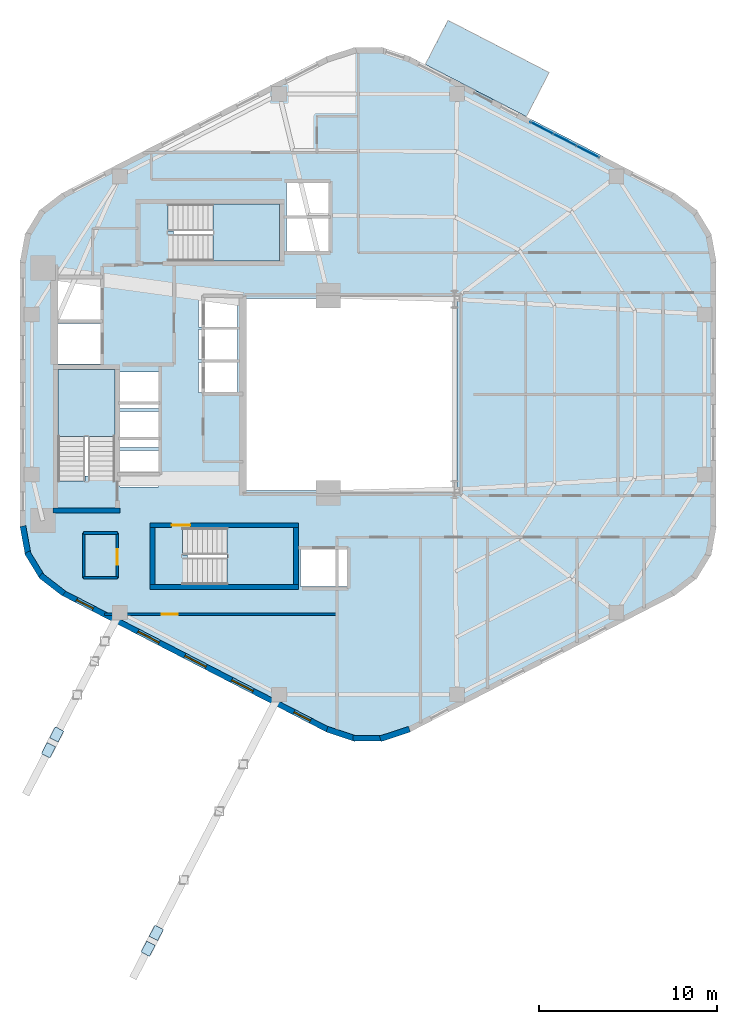
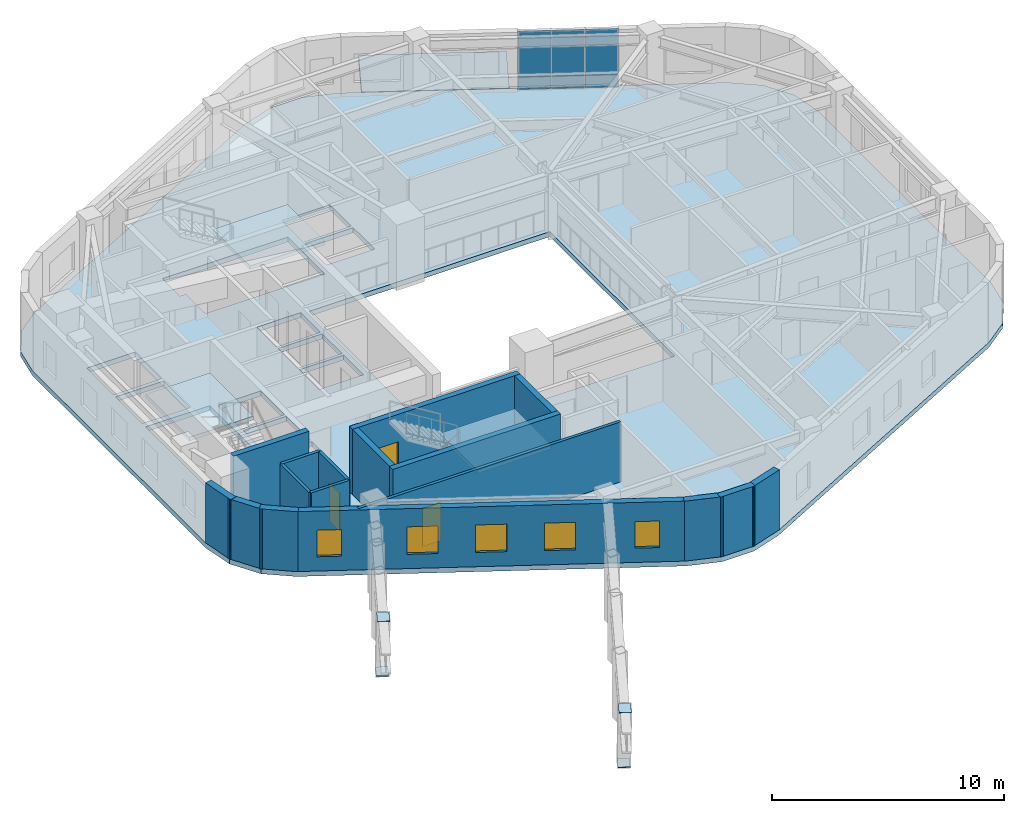
# One storey, part 5 of 11: 17 walls, 10 plates, 5 slabs, 5 windows, 3 doors, 8 openings, 4 elements without a shape of their own.
"""IFC4 building model written with IfcOpenShell, lengths in metres."""

from ifc_helpers import new_model, si_unit, direction, frame, frame_2d, origin, origin_2d, place, context, subcontext, project, spatial, polyline, rectangle, outline, extrude, material, layer, layer_set, type_object, element, fill, aggregate, save


model = new_model("IFC4")

# Units and contexts
model_context = context("Model", 3, precision=1e-05, world=origin(), true_north=direction((0.0, 1.0)))
body_context = subcontext(model_context, "Body", "Model", "MODEL_VIEW")
ifc_project = project(units=[si_unit("LENGTHUNIT", "METRE"), si_unit("AREAUNIT", "SQUARE_METRE"), si_unit("VOLUMEUNIT", "CUBIC_METRE"), si_unit("PLANEANGLEUNIT", "RADIAN"), si_unit("MASSUNIT", "GRAM", prefix="KILO"), si_unit("THERMODYNAMICTEMPERATUREUNIT", "KELVIN"), si_unit("POWERUNIT", "WATT")], contexts=[model_context])

# Site, building, storey
site_placement = place(None, origin())
site = spatial("IfcSite", under=ifc_project, at=site_placement, CompositionType="ELEMENT")
building_placement = place(site_placement, origin())
building = spatial("IfcBuilding", under=site, at=building_placement, Name="Skarre Station Tower", CompositionType="ELEMENT")
storey_placement = place(building_placement, frame((0.0, 0.0, 170.550048828125)))
storey = spatial("IfcBuildingStorey", under=building, at=storey_placement, Name="L46", CompositionType="ELEMENT", Elevation=170.550048828125)

# Curtain wall, plates
ifc_material_1 = material(Name="Thermally Broken Bronze-Anodized Aluminium & Triple Low-E Glass", Category="aluminium")
ifc_layer_1 = layer(ifc_material_1, 0.18994140625, Name="Thermally Broken Bronze-Anodized Aluminium & Triple Low-E Glass")
ifc_layer_set_1 = layer_set([ifc_layer_1], Name="Thermally Broken Bronze-Anodized Aluminium & Triple Low-E Glass")
curtain_wall_type = type_object("IfcCurtainWallType", Name="Sky-Garden Setback Conservatory Curtain Wall", PredefinedType="NOTDEFINED", material=ifc_layer_set_1)
curtain_wall_placement = place(storey_placement, origin())
curtain_wall = element("IfcCurtainWall", 1, at=curtain_wall_placement, inside=storey, type_object=curtain_wall_type, Name="L46 Facet 0 Conservatory Curtain Wall", PredefinedType="NOTDEFINED")
ifc_material_2 = material(Name="Insulated Bronze Anodized Aluminium Spandrel", Category="aluminium")
ifc_layer_2 = layer(ifc_material_2, 0.052001953125, Name="Insulated Bronze Anodized Aluminium Spandrel")
ifc_layer_set_2 = layer_set([ifc_layer_2], Name="Insulated Bronze Anodized Aluminium Spandrel")
plate_type_1 = type_object("IfcPlateType", Name="Bronze Insulated Spandrel Sheet Panel 52", PredefinedType="SHEET", material=ifc_layer_set_2)
plate_1_placement = place(storey_placement, frame((44.364990234375, 38.986083984375, 0.0517578125), z_axis=(0.0, 0.0, 1.0), x_axis=(0.888593216602, -0.458696081745, 0.0)))
plate_1 = element("IfcPlate", 2, at=plate_1_placement, type_object=plate_type_1, Name="L46 Facet 0 Conservatory Curtain Wall Spandrel Panel 1-1", PredefinedType="SHEET", context=body_context, shape_type="SweptSolid", body=[
    extrude(rectangle(XDim=1.43408203125, YDim=0.052001953125, at=origin_2d()), origin(), (0.0, 0.0, 1.0), 0.635986328125),
])
plate_2_placement = place(storey_placement, frame((45.660888671875, 38.31689453125, 0.0517578125), z_axis=(0.0, 0.0, 1.0), x_axis=(0.888593216602, -0.458696081745, 0.0)))
plate_2 = element("IfcPlate", 3, at=plate_2_placement, type_object=plate_type_1, Name="L46 Facet 0 Conservatory Curtain Wall Spandrel Panel 2-1", PredefinedType="SHEET", context=body_context, shape_type="SweptSolid", body=[
    extrude(rectangle(XDim=1.43408203125, YDim=0.052001953125, at=origin_2d()), origin(), (0.0, 0.0, 1.0), 0.635986328125),
])
plate_3_placement = place(storey_placement, frame((46.95703125, 37.64794921875, 0.0517578125), z_axis=(0.0, 0.0, 1.0), x_axis=(0.888593216602, -0.458696081745, 0.0)))
plate_3 = element("IfcPlate", 4, at=plate_3_placement, type_object=plate_type_1, Name="L46 Facet 0 Conservatory Curtain Wall Spandrel Panel 3-1", PredefinedType="SHEET", context=body_context, shape_type="SweptSolid", body=[
    extrude(rectangle(XDim=1.43408203125, YDim=0.052001953125, at=origin_2d()), origin(), (0.0, 0.0, 1.0), 0.635986328125),
])

# Plates
ifc_material_3 = material(Name="Steel ASTM A572 Grade 50", Category="steel")
ifc_layer_3 = layer(ifc_material_3, 0.031982421875, Name="Steel ASTM A572 Grade 50")
ifc_layer_set_3 = layer_set([ifc_layer_3], Name="Steel ASTM A572 Grade 50")
plate_type_2 = type_object("IfcPlateType", Name="Exoskeleton Strut Cap Plate 700x540x32", PredefinedType="USERDEFINED", material=ifc_layer_set_3)
for number, where, z_axis, x_axis, name in (
    (5, (17.0810546875, 4.8740234375, -0.44580078125), (0.0, 0.0, 1.0), (-0.458634045118, -0.888625237464, 0.0), "L46 SB-4 Exoskeleton Tier-4 Base Gusset S1"),
    (6, (16.6220703125, 3.985107421875, 3.1337890625), (0.0, 0.0, 1.0), (-0.458634045118, -0.888625237464, 0.0), "L46 SB-4 Exoskeleton Tier-4 Head Gusset S1"),
    (7, (22.681884765625, -6.2890625, -0.44580078125), (0.0, 0.0, 1.0), (-0.458634045118, -0.888625237464, 0.0), "L46 SB-4 Exoskeleton Tier-4 Base Gusset S2"),
    (8, (22.222900390625, -7.177001953125, 3.1337890625), (0.0, 0.0, 1.0), (-0.458634045118, -0.888625237464, 0.0), "L46 SB-4 Exoskeleton Tier-4 Head Gusset S2"),
):
    element("IfcPlate", number, at=place(storey_placement, frame(where, z_axis=z_axis, x_axis=x_axis)), inside=storey, type_object=plate_type_2, Name=name, ObjectType="STIFFENER_PLATE", PredefinedType="USERDEFINED", context=body_context, shape_type="SweptSolid", body=[
        extrude(rectangle(XDim=0.699951171875, YDim=0.5400390625, at=origin_2d()), origin(), (0.0, 0.0, 1.0), 0.031982421875),
    ])

# Stair, slab
ifc_material_4 = material(Name="Concrete C40/50", Category="concrete")
stair_type_1 = type_object("IfcStairType", Name="Reinforced Concrete Exit Stair ST-1", PredefinedType="HALF_TURN_STAIR", material=ifc_material_4)
stair_1_placement = place(storey_placement, origin())
stair_1 = element("IfcStair", 9, at=stair_1_placement, inside=storey, type_object=stair_type_1, Name="L46 Core Exit Stair ST-1", PredefinedType="HALF_TURN_STAIR")
ifc_layer_4 = layer(ifc_material_4, 0.219970703125, Name="Concrete C40/50")
ifc_layer_set_4 = layer_set([ifc_layer_4], Name="Concrete C40/50")
slab_type_1 = type_object("IfcSlabType", Name="Reinforced Concrete Stair & Ramp Landing 220", PredefinedType="LANDING", material=ifc_layer_set_4)
slab_1_placement = place(storey_placement, frame((0.0, 0.0, 1.52490234375)))
slab_1 = element("IfcSlab", 10, at=slab_1_placement, type_object=slab_type_1, Name="ST-1 landing 1", PredefinedType="LANDING", context=body_context, shape_type="SweptSolid", body=[
    extrude(outline(polyline([(20.35009765625, 21.639892578125), (20.35009765625, 25.39990234375), (17.14990234375, 25.39990234375), (17.14990234375, 21.639892578125), (20.35009765625, 21.639892578125)])), origin(), (0.0, 0.0, 1.0), 0.199951171875),
])
aggregate(stair_1, [slab_1])

stair_type_2 = type_object("IfcStairType", Name="Reinforced Concrete Exit Stair ST-2", PredefinedType="HALF_TURN_STAIR", material=ifc_material_4)
stair_2_placement = place(storey_placement, origin())
stair_2 = element("IfcStair", 11, at=stair_2_placement, inside=storey, type_object=stair_type_2, Name="L46 Core Exit Stair ST-2", PredefinedType="HALF_TURN_STAIR")
slab_2_placement = place(storey_placement, frame((0.0, 0.0, 1.52490234375)))
slab_2 = element("IfcSlab", 12, at=slab_2_placement, type_object=slab_type_1, Name="ST-2 landing 1", PredefinedType="LANDING", context=body_context, shape_type="SweptSolid", body=[
    extrude(outline(polyline([(26.669921875, 13.300048828125), (30.39990234375, 13.300048828125), (30.39990234375, 16.5), (26.669921875, 16.5), (26.669921875, 13.300048828125)])), origin(), (0.0, 0.0, 1.0), 0.199951171875),
])
aggregate(stair_2, [slab_2])

stair_type_3 = type_object("IfcStairType", Name="Reinforced Concrete Exit Stair ST-3", PredefinedType="HALF_TURN_STAIR", material=ifc_material_4)
stair_3_placement = place(storey_placement, origin())
stair_3 = element("IfcStair", 13, at=stair_3_placement, inside=storey, type_object=stair_type_3, Name="L46 Core Exit Stair ST-3", PredefinedType="HALF_TURN_STAIR")
slab_3_placement = place(storey_placement, frame((0.0, 0.0, 1.52490234375)))
slab_3 = element("IfcSlab", 14, at=slab_3_placement, type_object=slab_type_1, Name="ST-3 landing 1", PredefinedType="LANDING", context=body_context, shape_type="SweptSolid", body=[
    extrude(outline(polyline([(25.8701171875, 31.5), (29.60009765625, 31.5), (29.60009765625, 34.699951171875), (25.8701171875, 34.699951171875), (25.8701171875, 31.5)])), origin(), (0.0, 0.0, 1.0), 0.199951171875),
])
aggregate(stair_3, [slab_3])

# Slabs
ifc_material_5 = material(Name="Concrete C50/60", Category="concrete")
ifc_layer_5 = layer(ifc_material_5, 0.419921875, Name="Concrete C50/60")
ifc_layer_set_5 = layer_set([ifc_layer_5], Name="Concrete C50/60")
slab_type_2 = type_object("IfcSlabType", Name="Sky-Garden & Lookout Terrace Slab 360", PredefinedType="FLOOR", material=ifc_layer_set_5)
slab_4_placement = place(storey_placement, frame((0.0, 0.0, -0.360107421875)))
element("IfcSlab", 15, at=slab_4_placement, inside=storey, type_object=slab_type_2, Name="L46 SG-2 Planted Sky-Garden Terrace Slab", PredefinedType="FLOOR", context=body_context, shape_type="SweptSolid", body=[
    extrude(outline(polyline([(37.81103515625, 42.554931640625), (43.492919921875, 39.6220703125), (44.77294921875, 42.10107421875), (39.090087890625, 45.033935546875), (37.81103515625, 42.554931640625)])), origin(), (0.0, 0.0, 1.0), 0.360107421875),
])
ifc_layer_6 = layer(ifc_material_5, 0.260009765625, Name="Concrete C50/60")
ifc_layer_set_6 = layer_set([ifc_layer_6], Name="Concrete C50/60")
slab_type_3 = type_object("IfcSlabType", Name="Tower Typical Composite Floor Slab 260", PredefinedType="FLOOR", material=ifc_layer_set_6)
slab_5_placement = place(storey_placement, frame((0.0, 0.0, -0.260009765625)))
element("IfcSlab", 16, at=slab_5_placement, inside=storey, type_object=slab_type_3, Name="L46 Zone 3 Structural Floor Slab", PredefinedType="FLOOR", context=body_context, shape_type="SweptSolid", body=[
    extrude(outline(polyline([(54.172119140625, 31.501953125), (53.89208984375, 33.02294921875), (53.0869140625, 34.344970703125), (51.863037109375, 35.291015625), (36.908935546875, 43.009033203125), (35.39599609375, 43.506103515625), (33.803955078125, 43.506103515625), (32.291015625, 43.009033203125), (17.3369140625, 35.291015625), (16.113037109375, 34.344970703125), (15.30810546875, 33.02294921875), (15.028076171875, 31.501953125), (15.028076171875, 16.498046875), (15.30810546875, 14.97705078125), (16.113037109375, 13.655029296875), (17.3369140625, 12.708984375), (32.291015625, 4.990966796875), (33.803955078125, 4.493896484375), (35.39599609375, 4.493896484375), (36.908935546875, 4.990966796875), (51.863037109375, 12.708984375), (53.0869140625, 13.655029296875), (53.89208984375, 14.97705078125), (54.172119140625, 16.498046875), (54.172119140625, 31.501953125)]), holes=[polyline([(18.669921875, 19.419921875), (18.669921875, 19.123046875), (17.14990234375, 19.123046875), (17.14990234375, 25.39990234375), (20.35009765625, 25.39990234375), (20.35009765625, 19.419921875), (18.669921875, 19.419921875)]), polyline([(24.449951171875, 14.97998046875), (24.153076171875, 14.97998046875), (24.153076171875, 16.5), (30.39990234375, 16.5), (30.39990234375, 13.300048828125), (24.449951171875, 13.300048828125), (24.449951171875, 14.97998046875)]), polyline([(23.64990234375, 33.179931640625), (23.35302734375, 33.179931640625), (23.35302734375, 34.699951171875), (29.60009765625, 34.699951171875), (29.60009765625, 31.5), (23.64990234375, 31.5), (23.64990234375, 33.179931640625)]), polyline([(17.14990234375, 28.0), (19.550048828125, 28.0), (19.550048828125, 25.699951171875), (17.14990234375, 25.699951171875), (17.14990234375, 28.0)]), polyline([(17.14990234375, 30.5), (19.550048828125, 30.5), (19.550048828125, 28.199951171875), (17.14990234375, 28.199951171875), (17.14990234375, 30.5)]), polyline([(30.800048828125, 15.300048828125), (33.39990234375, 15.300048828125), (33.39990234375, 13.199951171875), (30.800048828125, 13.199951171875), (30.800048828125, 15.300048828125)]), polyline([(25.050048828125, 25.800048828125), (27.25, 25.800048828125), (27.25, 24.10009765625), (25.050048828125, 24.10009765625), (25.050048828125, 25.800048828125)]), polyline([(25.050048828125, 27.64990234375), (27.25, 27.64990234375), (27.25, 25.949951171875), (25.050048828125, 25.949951171875), (25.050048828125, 27.64990234375)]), polyline([(25.050048828125, 29.5), (27.25, 29.5), (27.25, 27.800048828125), (25.050048828125, 27.800048828125), (25.050048828125, 29.5)]), polyline([(20.64990234375, 20.85009765625), (22.800048828125, 20.85009765625), (22.800048828125, 18.800048828125), (20.64990234375, 18.800048828125), (20.64990234375, 20.85009765625)]), polyline([(20.64990234375, 23.050048828125), (22.800048828125, 23.050048828125), (22.800048828125, 21.0), (20.64990234375, 21.0), (20.64990234375, 23.050048828125)]), polyline([(20.64990234375, 25.25), (22.800048828125, 25.25), (22.800048828125, 23.199951171875), (20.64990234375, 23.199951171875), (20.64990234375, 25.25)]), polyline([(30.0, 33.89990234375), (32.39990234375, 33.89990234375), (32.39990234375, 32.050048828125), (30.0, 32.050048828125), (30.0, 33.89990234375)]), polyline([(30.0, 35.89990234375), (32.39990234375, 35.89990234375), (32.39990234375, 34.050048828125), (30.0, 34.050048828125), (30.0, 35.89990234375)]), polyline([(27.60009765625, 29.39990234375), (39.60009765625, 29.39990234375), (39.60009765625, 18.60009765625), (27.60009765625, 18.60009765625), (27.60009765625, 29.39990234375)])]), origin(), (0.0, 0.0, 1.0), 0.260009765625),
])

# Plate
ifc_material_6 = material(Name="Low-Iron Triple Insulating Glass Unit", Category="glass")
ifc_layer_7 = layer(ifc_material_6, 0.0439453125, Name="Low-Iron Triple Insulating Glass Unit")
ifc_layer_set_7 = layer_set([ifc_layer_7], Name="Low-Iron Triple Insulating Glass Unit")
plate_type_3 = type_object("IfcPlateType", Name="Triple-Glazed Vision Curtain Panel 44", PredefinedType="CURTAIN_PANEL", material=ifc_layer_set_7)
plate_4_placement = place(storey_placement, frame((44.364990234375, 38.986083984375, 0.7119140625), z_axis=(0.0, 0.0, 1.0), x_axis=(0.888593216602, -0.458696081745, 0.0)))
plate_4 = element("IfcPlate", 17, at=plate_4_placement, type_object=plate_type_3, Name="L46 Facet 0 Conservatory Curtain Wall Vision Panel 1-2", PredefinedType="CURTAIN_PANEL", context=body_context, shape_type="SweptSolid", body=[
    extrude(rectangle(XDim=1.43408203125, YDim=0.0439453125, at=origin_2d()), origin(), (0.0, 0.0, 1.0), 2.39599609375),
])

plate_5_placement = place(storey_placement, frame((45.660888671875, 38.31689453125, 0.7119140625), z_axis=(0.0, 0.0, 1.0), x_axis=(0.888593216602, -0.458696081745, 0.0)))
plate_5 = element("IfcPlate", 18, at=plate_5_placement, type_object=plate_type_3, Name="L46 Facet 0 Conservatory Curtain Wall Vision Panel 2-2", PredefinedType="CURTAIN_PANEL", context=body_context, shape_type="SweptSolid", body=[
    extrude(rectangle(XDim=1.43408203125, YDim=0.0439453125, at=origin_2d()), origin(), (0.0, 0.0, 1.0), 2.39599609375),
])

plate_6_placement = place(storey_placement, frame((46.95703125, 37.64794921875, 0.7119140625), z_axis=(0.0, 0.0, 1.0), x_axis=(0.888593216602, -0.458696081745, 0.0)))
plate_6 = element("IfcPlate", 19, at=plate_6_placement, type_object=plate_type_3, Name="L46 Facet 0 Conservatory Curtain Wall Vision Panel 3-2", PredefinedType="CURTAIN_PANEL", context=body_context, shape_type="SweptSolid", body=[
    extrude(rectangle(XDim=1.43408203125, YDim=0.0439453125, at=origin_2d()), origin(), (0.0, 0.0, 1.0), 2.39599609375),
])

aggregate(curtain_wall, [plate_1, plate_4, plate_2, plate_5, plate_3, plate_6])

# Walls
ifc_material_7 = material(Name="Acoustic Steel-Stud Gypsum Partition", Category="steel")
ifc_layer_8 = layer(ifc_material_7, 0.14990234375, Name="Acoustic Steel-Stud Gypsum Partition")
ifc_layer_set_8 = layer_set([ifc_layer_8], Name="Acoustic Steel-Stud Gypsum Partition")
wall_type_1 = type_object("IfcWallType", Name="Fire-Rated Corridor Acoustic Partition 150", PredefinedType="PARTITIONING", material=ifc_layer_set_8)
wall_1_placement = place(storey_placement, frame((18.60009765625, 16.199951171875, 0.0), z_axis=(0.0, 0.0, 1.0), x_axis=(0.0, -1.0, 0.0)))
element("IfcWall", 20, at=wall_1_placement, inside=storey, type_object=wall_type_1, Name="L46 Interior Partition WL-PT-L46-CSVC-W", PredefinedType="PARTITIONING", context=body_context, shape_type="SweptSolid", body=[
    extrude(rectangle(XDim=2.52001953125, YDim=0.14990234375, at=frame_2d((1.260009765625, 0.0))), origin(), (0.0, 0.0, 1.0), 3.159912109375),
])
for number, where, z_axis, x_axis, name in (
    (21, (18.60009765625, 13.679931640625, 0.0), (0.0, 0.0, 1.0), (1.0, 0.0, 0.0), "L46 Interior Partition WL-PT-L46-CSVC-S"),
    (22, (18.60009765625, 16.199951171875, 0.0), (0.0, 0.0, 1.0), (1.0, 0.0, 0.0), "L46 Interior Partition WL-PT-L46-CSVC-N"),
):
    element("IfcWall", number, at=place(storey_placement, frame(where, z_axis=z_axis, x_axis=x_axis)), inside=storey, type_object=wall_type_1, Name=name, PredefinedType="PARTITIONING", context=body_context, shape_type="SweptSolid", body=[
        extrude(rectangle(XDim=1.889892578125, YDim=0.14990234375, at=frame_2d((0.94482421875, 0.0))), origin(), (0.0, 0.0, 1.0), 3.159912109375),
    ])

# Wall, opening, door
wall_2_placement = place(storey_placement, frame((20.489990234375, 13.679931640625, 0.0), z_axis=(0.0, 0.0, 1.0), x_axis=(0.0, 1.0, 0.0)))
wall_2 = element("IfcWall", 23, at=wall_2_placement, inside=storey, type_object=wall_type_1, Name="L46 Interior Partition WL-PT-L46-CSVC-E", PredefinedType="PARTITIONING", context=body_context, shape_type="SweptSolid", body=[
    extrude(rectangle(XDim=2.52001953125, YDim=0.14990234375, at=frame_2d((1.260009765625, 0.0))), origin(), (0.0, 0.0, 1.0), 3.159912109375),
])
opening_1_placement = place(wall_2_placement, frame((0.75, 0.0, 0.0)))
opening_1 = element("IfcOpeningElement", 24, at=opening_1_placement, cuts=wall_2, Name="Opening DR-SVC86", PredefinedType="OPENING", context=body_context, shape_type="SweptSolid", body=[
    extrude(rectangle(XDim=0.860107421875, YDim=2.0, at=frame_2d((0.43017578125, 1.0))), frame((0.0, 0.0849609375, 0.0), z_axis=(0.0, -1.0, 0.0), x_axis=(1.0, 0.0, 0.0)), (0.0, 0.0, 1.0), 0.169921875),
])
ifc_material_8 = material(Name="Powder-Coated Hollow-Metal Acoustic Fire Leaf", Category="steel")
door_type_1 = type_object("IfcDoorType", Name="Compact Riser Fire Door FD60 860x2100", OperationType="SINGLE_SWING_LEFT", PredefinedType="DOOR", material=ifc_material_8)
door_1_placement = place(opening_1_placement, origin())
door_1 = element("IfcDoor", 25, at=door_1_placement, inside=storey, type_object=door_type_1, Name="L46 Supply Room Door", OperationType="SINGLE_SWING_LEFT", OverallHeight=2.0, OverallWidth=0.860107421875, PredefinedType="DOOR", context=body_context, shape_type="SweptSolid", body=[
    extrude(rectangle(XDim=0.860107421875, YDim=2.0, at=frame_2d((0.43017578125, 1.0))), frame((0.0, 0.02490234375, 0.0), z_axis=(0.0, -1.0, 0.0), x_axis=(1.0, 0.0, 0.0)), (0.0, 0.0, 1.0), 0.050048828125),
])
fill(opening_1, door_1)

wall_3_placement = place(storey_placement, frame((19.757080078125, 11.639892578125, 0.0), z_axis=(0.0, 0.0, 1.0), x_axis=(1.0, 0.0, 0.0)))
wall_3 = element("IfcWall", 26, at=wall_3_placement, inside=storey, type_object=wall_type_1, Name="L46 Interior Partition WL-PT-L46-SWP-N", PredefinedType="PARTITIONING", context=body_context, shape_type="SweptSolid", body=[
    extrude(rectangle(XDim=13.093017578125, YDim=0.14990234375, at=frame_2d((6.54638671875, 0.0))), origin(), (0.0, 0.0, 1.0), 3.159912109375),
])
opening_2_placement = place(wall_3_placement, frame((3.242919921875, 0.0, 0.0)))
opening_2 = element("IfcOpeningElement", 27, at=opening_2_placement, cuts=wall_3, Name="Opening DR-SVC90", PredefinedType="OPENING", context=body_context, shape_type="SweptSolid", body=[
    extrude(rectangle(XDim=0.89990234375, YDim=2.0, at=frame_2d((0.449951171875, 1.0))), frame((0.0, 0.0849609375, 0.0), z_axis=(0.0, -1.0, 0.0), x_axis=(1.0, 0.0, 0.0)), (0.0, 0.0, 1.0), 0.169921875),
])
door_type_2 = type_object("IfcDoorType", Name="Service & Riser Fire Door FD60 900x2100", OperationType="SINGLE_SWING_LEFT", PredefinedType="DOOR", material=ifc_material_8)
door_2_placement = place(opening_2_placement, origin())
door_2 = element("IfcDoor", 28, at=door_2_placement, inside=storey, type_object=door_type_2, Name="L46 Floor Public Toilets Door", OperationType="SINGLE_SWING_LEFT", OverallHeight=2.0, OverallWidth=0.89990234375, PredefinedType="DOOR", context=body_context, shape_type="SweptSolid", body=[
    extrude(rectangle(XDim=0.89990234375, YDim=2.0, at=frame_2d((0.449951171875, 1.0))), frame((0.0, 0.02490234375, 0.0), z_axis=(0.0, -1.0, 0.0), x_axis=(1.0, 0.0, 0.0)), (0.0, 0.0, 1.0), 0.050048828125),
])
fill(opening_2, door_2)

# Walls
ifc_material_9 = material(Name="Precast concrete C45/55", Category="concrete")
ifc_layer_9 = layer(ifc_material_9, 0.330078125, Name="Precast concrete C45/55")
ifc_layer_set_9 = layer_set([ifc_layer_9], Name="Precast concrete C45/55")
wall_type_2 = type_object("IfcWallType", Name="Nordic Rounded Corner Precast Wall 330", PredefinedType="STANDARD", material=ifc_layer_set_9)
wall_4_placement = place(storey_placement, frame((17.489013671875, 12.800048828125, 0.0), z_axis=(0.0, 0.0, 1.0), x_axis=(-0.791409877269, 0.611285862884, 0.0)))
element("IfcWall", 29, at=wall_4_placement, inside=storey, type_object=wall_type_2, Name="L46 Rounded Corner Precast Wall F3-1", PredefinedType="STANDARD", context=body_context, shape_type="SweptSolid", body=[
    extrude(rectangle(XDim=1.676513671875, YDim=0.330078125, at=frame_2d((0.83837890625, 0.0))), origin(), (0.0, 0.0, 1.0), 3.159912109375),
])
wall_5_placement = place(storey_placement, frame((16.2880859375, 13.68505859375, 0.0), z_axis=(0.0, 0.0, 1.0), x_axis=(-0.520325409202, 0.853968072318, 0.0)))
element("IfcWall", 30, at=wall_5_placement, inside=storey, type_object=wall_type_2, Name="L46 Rounded Corner Precast Wall F3-2", PredefinedType="STANDARD", context=body_context, shape_type="SweptSolid", body=[
    extrude(rectangle(XDim=1.677978515625, YDim=0.330078125, at=frame_2d((0.8388671875, 0.0))), origin(), (0.0, 0.0, 1.0), 3.159912109375),
])
wall_6_placement = place(storey_placement, frame((15.48193359375, 14.943115234375, 0.0), z_axis=(0.0, 0.0, 1.0), x_axis=(-0.180717642671, 0.983535019014, 0.0)))
element("IfcWall", 31, at=wall_6_placement, inside=storey, type_object=wall_type_2, Name="L46 Rounded Corner Precast Wall F3-3", PredefinedType="STANDARD", context=body_context, shape_type="SweptSolid", body=[
    extrude(rectangle(XDim=1.676513671875, YDim=0.330078125, at=frame_2d((0.83837890625, 0.0))), origin(), (0.0, 0.0, 1.0), 3.159912109375),
])
wall_7_placement = place(storey_placement, frame((36.9189453125, 5.16796875, 0.0), z_axis=(0.0, 0.0, 1.0), x_axis=(-0.949937416267, -0.312440242569, 0.0)))
element("IfcWall", 32, at=wall_7_placement, inside=storey, type_object=wall_type_2, Name="L46 Rounded Corner Precast Wall F4-1", PredefinedType="STANDARD", context=body_context, shape_type="SweptSolid", body=[
    extrude(rectangle(XDim=1.72216796875, YDim=0.330078125, at=frame_2d((0.861083984375, 0.0))), origin(), (0.0, 0.0, 1.0), 3.159912109375),
])
wall_8_placement = place(storey_placement, frame((35.4609375, 4.658935546875, 0.0), z_axis=(0.0, 0.0, 1.0), x_axis=(-1.0, 0.0, 0.0)))
element("IfcWall", 33, at=wall_8_placement, inside=storey, type_object=wall_type_2, Name="L46 Rounded Corner Precast Wall F4-2", PredefinedType="STANDARD", context=body_context, shape_type="SweptSolid", body=[
    extrude(rectangle(XDim=1.721923828125, YDim=0.330078125, at=frame_2d((0.86083984375, 0.0))), origin(), (0.0, 0.0, 1.0), 3.159912109375),
])
wall_9_placement = place(storey_placement, frame((33.9169921875, 4.6298828125, 0.0), z_axis=(0.0, 0.0, 1.0), x_axis=(-0.949937416267, 0.312440242569, 0.0)))
element("IfcWall", 34, at=wall_9_placement, inside=storey, type_object=wall_type_2, Name="L46 Rounded Corner Precast Wall F4-3", PredefinedType="STANDARD", context=body_context, shape_type="SweptSolid", body=[
    extrude(rectangle(XDim=1.72216796875, YDim=0.330078125, at=frame_2d((0.861083984375, 0.0))), origin(), (0.0, 0.0, 1.0), 3.159912109375),
])

# Wall, openings, windows
ifc_layer_10 = layer(ifc_material_9, 0.31005859375, Name="Precast concrete C45/55")
ifc_layer_set_10 = layer_set([ifc_layer_10], Name="Precast concrete C45/55")
wall_type_3 = type_object("IfcWallType", Name="Nordic Upper-Zone Precast Facet Wall 310", PredefinedType="STANDARD", material=ifc_layer_set_10)
wall_10_placement = place(storey_placement, frame((32.362060546875, 5.12890625, 0.0), z_axis=(0.0, 0.0, 1.0), x_axis=(-0.888626188278, 0.458632202867, 0.0)))
wall_10 = element("IfcWall", 35, at=wall_10_placement, inside=storey, type_object=wall_type_3, Name="L46 Facet 3 Nordic Precast Masonry Wall", PredefinedType="STANDARD", context=body_context, shape_type="SweptSolid", body=[
    extrude(rectangle(XDim=16.828369140625, YDim=0.31005859375, at=frame_2d((8.4140625, 0.0))), origin(), (0.0, 0.0, 1.0), 3.159912109375),
])
opening_3_placement = place(wall_10_placement, frame((1.136962890625, 0.0, 0.75)))
opening_3 = element("IfcOpeningElement", 36, at=opening_3_placement, cuts=wall_10, Name="Opening WN-SLT", PredefinedType="OPENING", context=body_context, shape_type="SweptSolid", body=[
    extrude(rectangle(XDim=1.050048828125, YDim=1.39990234375, at=frame_2d((0.52490234375, 0.699951171875))), frame((0.0, 0.1650390625, 0.0), z_axis=(0.0, -1.0, 0.0), x_axis=(1.0, 0.0, 0.0)), (0.0, 0.0, 1.0), 0.330078125),
])
opening_4_placement = place(wall_10_placement, frame((4.76806640625, 0.0, 0.75)))
opening_4 = element("IfcOpeningElement", 37, at=opening_4_placement, cuts=wall_10, Name="Opening WN-Z3B", PredefinedType="OPENING", context=body_context, shape_type="SweptSolid", body=[
    extrude(rectangle(XDim=1.35009765625, YDim=1.449951171875, at=frame_2d((0.675048828125, 0.72509765625))), frame((0.0, 0.1650390625, 0.0), z_axis=(0.0, -1.0, 0.0), x_axis=(1.0, 0.0, 0.0)), (0.0, 0.0, 1.0), 0.330078125),
])
opening_5_placement = place(wall_10_placement, frame((7.739013671875, 0.0, 0.75)))
opening_5 = element("IfcOpeningElement", 38, at=opening_5_placement, cuts=wall_10, Name="Opening WN-Z3B", PredefinedType="OPENING", context=body_context, shape_type="SweptSolid", body=[
    extrude(rectangle(XDim=1.35009765625, YDim=1.449951171875, at=frame_2d((0.675048828125, 0.72509765625))), frame((0.0, 0.1650390625, 0.0), z_axis=(0.0, -1.0, 0.0), x_axis=(1.0, 0.0, 0.0)), (0.0, 0.0, 1.0), 0.330078125),
])
opening_6_placement = place(wall_10_placement, frame((10.7099609375, 0.0, 0.75)))
opening_6 = element("IfcOpeningElement", 39, at=opening_6_placement, cuts=wall_10, Name="Opening WN-Z3B", PredefinedType="OPENING", context=body_context, shape_type="SweptSolid", body=[
    extrude(rectangle(XDim=1.35009765625, YDim=1.449951171875, at=frame_2d((0.675048828125, 0.72509765625))), frame((0.0, 0.1650390625, 0.0), z_axis=(0.0, -1.0, 0.0), x_axis=(1.0, 0.0, 0.0)), (0.0, 0.0, 1.0), 0.330078125),
])
opening_7_placement = place(wall_10_placement, frame((14.885009765625, 0.0, 0.75)))
opening_7 = element("IfcOpeningElement", 40, at=opening_7_placement, cuts=wall_10, Name="Opening WN-SLT", PredefinedType="OPENING", context=body_context, shape_type="SweptSolid", body=[
    extrude(rectangle(XDim=1.050048828125, YDim=1.39990234375, at=frame_2d((0.52490234375, 0.699951171875))), frame((0.0, 0.1650390625, 0.0), z_axis=(0.0, -1.0, 0.0), x_axis=(1.0, 0.0, 0.0)), (0.0, 0.0, 1.0), 0.330078125),
])
ifc_material_10 = material(Name="Low-Iron Triple Glazing with Bronze Anodized Frame", Category="glass")
window_type_1 = type_object("IfcWindowType", Name="Nordic Corner Slot Window 1050x1400", PartitioningType="SINGLE_PANEL", PredefinedType="WINDOW", material=ifc_material_10)
window_1_placement = place(opening_3_placement, origin())
window_1 = element("IfcWindow", 41, at=window_1_placement, inside=storey, type_object=window_type_1, Name="L46 Facade Window WL-FAC-L46-F3-1", OverallHeight=1.39990234375, OverallWidth=1.050048828125, PartitioningType="SINGLE_PANEL", PredefinedType="WINDOW", context=body_context, shape_type="SweptSolid", body=[
    extrude(rectangle(XDim=1.050048828125, YDim=1.39990234375, at=frame_2d((0.52490234375, 0.699951171875))), frame((0.0, 0.030029296875, 0.0), z_axis=(0.0, -1.0, 0.0), x_axis=(1.0, 0.0, 0.0)), (0.0, 0.0, 1.0), 0.06005859375),
])
fill(opening_3, window_1)
window_2_placement = place(opening_7_placement, origin())
window_2 = element("IfcWindow", 42, at=window_2_placement, inside=storey, type_object=window_type_1, Name="L46 Facade Window WL-FAC-L46-F3-5", OverallHeight=1.39990234375, OverallWidth=1.050048828125, PartitioningType="SINGLE_PANEL", PredefinedType="WINDOW", context=body_context, shape_type="SweptSolid", body=[
    extrude(rectangle(XDim=1.050048828125, YDim=1.39990234375, at=frame_2d((0.52490234375, 0.699951171875))), frame((0.0, 0.030029296875, 0.0), z_axis=(0.0, -1.0, 0.0), x_axis=(1.0, 0.0, 0.0)), (0.0, 0.0, 1.0), 0.06005859375),
])
fill(opening_7, window_2)
window_type_2 = type_object("IfcWindowType", Name="Nordic Hospitality Narrow Window 1350x1450", PartitioningType="SINGLE_PANEL", PredefinedType="WINDOW", material=ifc_material_10)
window_3_placement = place(opening_4_placement, origin())
window_3 = element("IfcWindow", 43, at=window_3_placement, inside=storey, type_object=window_type_2, Name="L46 Facade Window WL-FAC-L46-F3-2", OverallHeight=1.449951171875, OverallWidth=1.35009765625, PartitioningType="SINGLE_PANEL", PredefinedType="WINDOW", context=body_context, shape_type="SweptSolid", body=[
    extrude(rectangle(XDim=1.35009765625, YDim=1.449951171875, at=frame_2d((0.675048828125, 0.72509765625))), frame((0.0, 0.030029296875, 0.0), z_axis=(0.0, -1.0, 0.0), x_axis=(1.0, 0.0, 0.0)), (0.0, 0.0, 1.0), 0.06005859375),
])
fill(opening_4, window_3)
window_4_placement = place(opening_5_placement, origin())
window_4 = element("IfcWindow", 44, at=window_4_placement, inside=storey, type_object=window_type_2, Name="L46 Facade Window WL-FAC-L46-F3-3", OverallHeight=1.449951171875, OverallWidth=1.35009765625, PartitioningType="SINGLE_PANEL", PredefinedType="WINDOW", context=body_context, shape_type="SweptSolid", body=[
    extrude(rectangle(XDim=1.35009765625, YDim=1.449951171875, at=frame_2d((0.675048828125, 0.72509765625))), frame((0.0, 0.030029296875, 0.0), z_axis=(0.0, -1.0, 0.0), x_axis=(1.0, 0.0, 0.0)), (0.0, 0.0, 1.0), 0.06005859375),
])
fill(opening_5, window_4)
window_5_placement = place(opening_6_placement, origin())
window_5 = element("IfcWindow", 45, at=window_5_placement, inside=storey, type_object=window_type_2, Name="L46 Facade Window WL-FAC-L46-F3-4", OverallHeight=1.449951171875, OverallWidth=1.35009765625, PartitioningType="SINGLE_PANEL", PredefinedType="WINDOW", context=body_context, shape_type="SweptSolid", body=[
    extrude(rectangle(XDim=1.35009765625, YDim=1.449951171875, at=frame_2d((0.675048828125, 0.72509765625))), frame((0.0, 0.030029296875, 0.0), z_axis=(0.0, -1.0, 0.0), x_axis=(1.0, 0.0, 0.0)), (0.0, 0.0, 1.0), 0.06005859375),
])
fill(opening_6, window_5)

# Walls
ifc_layer_11 = layer(ifc_material_5, 0.280029296875, Name="Concrete C50/60")
ifc_layer_set_11 = layer_set([ifc_layer_11], Name="Concrete C50/60")
wall_type_4 = type_object("IfcWallType", Name="RC Core Shear Wall 280", PredefinedType="SHEAR", material=ifc_layer_set_11)
wall_11_placement = place(storey_placement, frame((16.8701171875, 17.4599609375, 0.0), z_axis=(0.0, 0.0, 1.0), x_axis=(1.0, 0.0, 0.0)))
element("IfcWall", 46, at=wall_11_placement, inside=storey, type_object=wall_type_4, Name="L46 Stair ST-1 South Shear Wall", PredefinedType="SHEAR", context=body_context, shape_type="SweptSolid", body=[
    extrude(rectangle(XDim=3.759765625, YDim=0.280029296875, at=frame_2d((1.8798828125, 0.0))), origin(), (0.0, 0.0, 1.0), 3.449951171875),
])
wall_12_placement = place(storey_placement, frame((22.320068359375, 13.159912109375, 0.0), z_axis=(0.0, 0.0, 1.0), x_axis=(1.0, 0.0, 0.0)))
element("IfcWall", 47, at=wall_12_placement, inside=storey, type_object=wall_type_4, Name="L46 Stair ST-2 South Shear Wall", PredefinedType="SHEAR", context=body_context, shape_type="SweptSolid", body=[
    extrude(rectangle(XDim=8.35986328125, YDim=0.280029296875, at=frame_2d((4.179931640625, 0.0))), origin(), (0.0, 0.0, 1.0), 3.449951171875),
])

# Wall, opening, door
wall_13_placement = place(storey_placement, frame((30.679931640625, 16.639892578125, 0.0), z_axis=(0.0, 0.0, 1.0), x_axis=(-1.0, 0.0, 0.0)))
wall_13 = element("IfcWall", 48, at=wall_13_placement, inside=storey, type_object=wall_type_4, Name="L46 Stair ST-2 North Shear Wall", PredefinedType="SHEAR", context=body_context, shape_type="SweptSolid", body=[
    extrude(rectangle(XDim=8.35986328125, YDim=0.280029296875, at=frame_2d((4.179931640625, 0.0))), origin(), (0.0, 0.0, 1.0), 3.449951171875),
])
opening_8_placement = place(wall_13_placement, frame((6.080078125, 0.0, 0.0)))
opening_8 = element("IfcOpeningElement", 49, at=opening_8_placement, cuts=wall_13, Name="Opening DR-FD90", PredefinedType="OPENING", context=body_context, shape_type="SweptSolid", body=[
    extrude(rectangle(XDim=1.050048828125, YDim=2.0, at=frame_2d((0.52490234375, 1.0))), frame((0.0, 0.14990234375, 0.0), z_axis=(0.0, -1.0, 0.0), x_axis=(1.0, 0.0, 0.0)), (0.0, 0.0, 1.0), 0.300048828125),
])
ifc_material_11 = material(Name="Fire-Rated Insulated Steel Frame & Timber Core Leaf", Category="steel")
door_type_3 = type_object("IfcDoorType", Name="Stair & FSAE Lobby Fire Door FD90 1050x2150", OperationType="SINGLE_SWING_RIGHT", PredefinedType="DOOR", material=ifc_material_11)
door_3_placement = place(opening_8_placement, origin())
door_3 = element("IfcDoor", 50, at=door_3_placement, inside=storey, type_object=door_type_3, Name="L46 Stair ST-2 Exit Door", OperationType="SINGLE_SWING_RIGHT", OverallHeight=2.0, OverallWidth=1.050048828125, PredefinedType="DOOR", context=body_context, shape_type="SweptSolid", body=[
    extrude(rectangle(XDim=1.050048828125, YDim=2.0, at=frame_2d((0.52490234375, 1.0))), frame((0.0, 0.02490234375, 0.0), z_axis=(0.0, -1.0, 0.0), x_axis=(1.0, 0.0, 0.0)), (0.0, 0.0, 1.0), 0.050048828125),
])
fill(opening_8, door_3)

# Walls
for number, where, z_axis, x_axis, name in (
    (51, (22.4599609375, 16.5, 0.0), (0.0, 0.0, 1.0), (0.0, -1.0, 0.0), "L46 Stair ST-2 West Shear Wall"),
    (52, (30.5400390625, 13.300048828125, 0.0), (0.0, 0.0, 1.0), (0.0, 1.0, 0.0), "L46 Stair ST-2 East Shear Wall"),
):
    element("IfcWall", number, at=place(storey_placement, frame(where, z_axis=z_axis, x_axis=x_axis)), inside=storey, type_object=wall_type_4, Name=name, PredefinedType="SHEAR", context=body_context, shape_type="SweptSolid", body=[
        extrude(rectangle(XDim=3.199951171875, YDim=0.280029296875, at=frame_2d((1.60009765625, 0.0))), origin(), (0.0, 0.0, 1.0), 3.449951171875),
    ])

save(model, "model.ifc")
